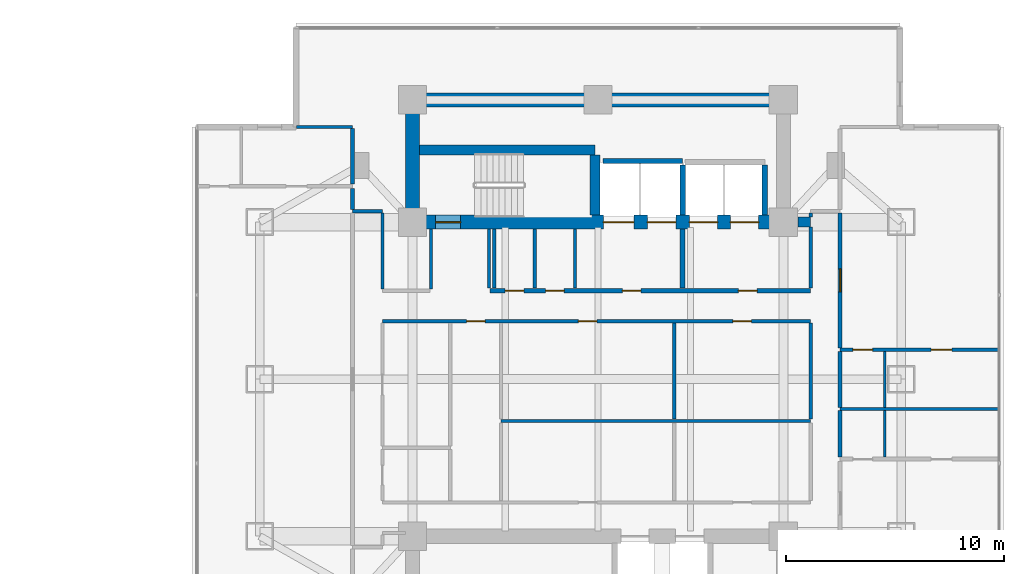
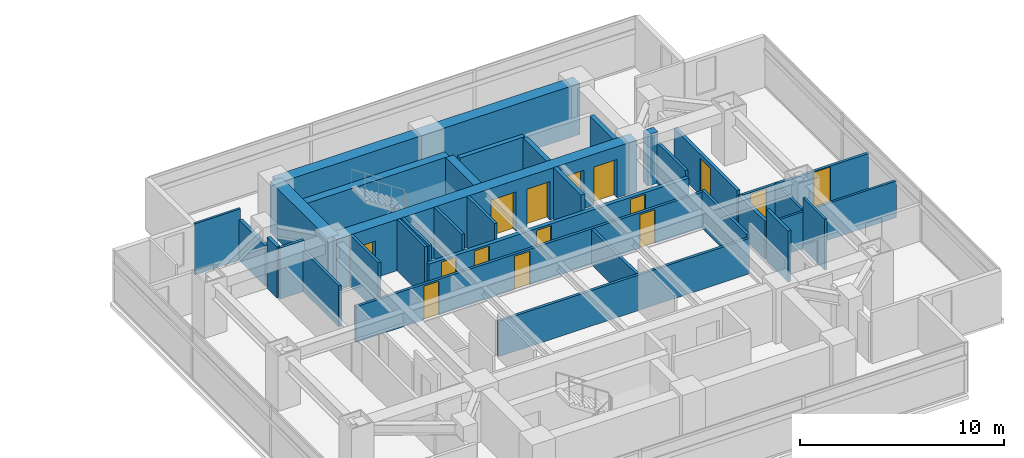
# One storey, part 18 of 24: 34 walls, 15 doors, 15 openings.
"""IFC4 building model written with IfcOpenShell, lengths in metres."""

from ifc_helpers import new_model, si_unit, direction, frame, frame_2d, origin, place, context, subcontext, project, spatial, rectangle, extrude, material, layer, layer_set, type_object, element, fill, save


model = new_model("IFC4")

# Units and contexts
model_context = context("Model", 3, precision=1e-05, world=origin(), true_north=direction((0.0, 1.0)))
body_context = subcontext(model_context, "Body", "Model", "MODEL_VIEW")
ifc_project = project(units=[si_unit("LENGTHUNIT", "METRE"), si_unit("AREAUNIT", "SQUARE_METRE"), si_unit("VOLUMEUNIT", "CUBIC_METRE"), si_unit("PLANEANGLEUNIT", "RADIAN"), si_unit("MASSUNIT", "GRAM", prefix="KILO")], contexts=[model_context])

# Site, building, storey
site_placement = place(None, origin())
site = spatial("IfcSite", under=ifc_project, at=site_placement, CompositionType="ELEMENT")
building_placement = place(site_placement, origin())
building = spatial("IfcBuilding", under=site, at=building_placement, Name="Mirazonda Arch Towers", CompositionType="ELEMENT")
storey_placement = place(building_placement, frame((0.0, 0.0, 65.300048828125)))
storey = spatial("IfcBuildingStorey", under=building, at=storey_placement, Name="L18", CompositionType="ELEMENT", Elevation=65.300048828125)

# Walls
ifc_material_1 = material(Name="Concrete C50/60", Category="concrete")
ifc_layer_1 = layer(ifc_material_1, 0.449951171875, Name="WALL-CORE-450")
ifc_layer_set_1 = layer_set([ifc_layer_1], Name="Concrete C50/60")
wall_type_1 = type_object("IfcWallType", Name="WALL-CORE-450", PredefinedType="SHEAR", material=ifc_layer_set_1)
wall_1_placement = place(storey_placement, frame((85.6650390625, 35.199951171875, 0.0), z_axis=(0.0, 0.0, 1.0), x_axis=(1.0, 0.0, 0.0)))
element("IfcWall", 1, at=wall_1_placement, inside=storey, type_object=wall_type_1, Name="L18 Stair Core Shear Wall 042", PredefinedType="SHEAR", context=body_context, shape_type="SweptSolid", body=[
    extrude(rectangle(XDim=0.5849609375, YDim=0.449951171875, at=frame_2d((0.29248046875, 0.0))), origin(), (0.0, 0.0, 1.0), 3.06005859375),
])
wall_2_placement = place(storey_placement, frame((68.320068359375, 38.5, 0.0), z_axis=(0.0, 0.0, 1.0), x_axis=(1.0, 0.0, 0.0)))
element("IfcWall", 2, at=wall_2_placement, inside=storey, type_object=wall_type_1, Name="L18 Stair Core Shear Wall 049", PredefinedType="SHEAR", context=body_context, shape_type="SweptSolid", body=[
    extrude(rectangle(XDim=8.0400390625, YDim=0.449951171875, at=frame_2d((4.02001953125, 0.0))), origin(), (0.0, 0.0, 1.0), 3.06005859375),
])
wall_3_placement = place(storey_placement, frame((76.360107421875, 35.52001953125, 0.0), z_axis=(0.0, 0.0, 1.0), x_axis=(0.0, 1.0, 0.0)))
element("IfcWall", 3, at=wall_3_placement, inside=storey, type_object=wall_type_1, Name="L18 Stair Core Shear Wall 138", PredefinedType="SHEAR", context=body_context, shape_type="SweptSolid", body=[
    extrude(rectangle(XDim=2.744873046875, YDim=0.449951171875, at=frame_2d((1.37255859375, 0.0))), origin(), (0.0, 0.0, 1.0), 3.06005859375),
])
ifc_material_2 = material(Name="Concrete C60/75", Category="concrete")
ifc_layer_2 = layer(ifc_material_2, 0.64990234375, Name="WALL-CORE-650")
ifc_layer_set_2 = layer_set([ifc_layer_2], Name="Concrete C60/75")
wall_type_2 = type_object("IfcWallType", Name="WALL-CORE-650", PredefinedType="SHEAR", material=ifc_layer_set_2)
wall_4_placement = place(storey_placement, frame((68.0, 40.800048828125, 0.0), z_axis=(0.0, 0.0, 1.0), x_axis=(1.0, 0.0, 0.0)))
element("IfcWall", 4, at=wall_4_placement, inside=storey, type_object=wall_type_2, Name="L18 T2N-N Core Shear Wall", PredefinedType="SHEAR", context=body_context, shape_type="SweptSolid", body=[
    extrude(rectangle(XDim=17.0, YDim=0.64990234375, at=frame_2d((8.5, 0.0))), origin(), (0.0, 0.0, 1.0), 3.06005859375),
])
wall_5_placement = place(storey_placement, frame((68.0, 35.199951171875, 0.0), z_axis=(0.0, 0.0, 1.0), x_axis=(0.0, 1.0, 0.0)))
element("IfcWall", 5, at=wall_5_placement, inside=storey, type_object=wall_type_2, Name="L18 T2N-W Core Shear Wall", PredefinedType="SHEAR", context=body_context, shape_type="SweptSolid", body=[
    extrude(rectangle(XDim=5.60009765625, YDim=0.64990234375, at=frame_2d((2.800048828125, 0.0))), origin(), (0.0, 0.0, 1.0), 3.06005859375),
])

# Wall, openings, doors
wall_6_placement = place(storey_placement, frame((68.0, 35.199951171875, 0.0), z_axis=(0.0, 0.0, 1.0), x_axis=(1.0, 0.0, 0.0)))
wall_6 = element("IfcWall", 6, at=wall_6_placement, inside=storey, type_object=wall_type_2, Name="L18 T2N-S Core Shear Wall", PredefinedType="SHEAR", context=body_context, shape_type="SweptSolid", body=[
    extrude(rectangle(XDim=17.0, YDim=0.64990234375, at=frame_2d((8.5, 0.0))), origin(), (0.0, 0.0, 1.0), 3.06005859375),
])
opening_1_placement = place(wall_6_placement, frame((1.06005859375, 0.0, 0.0)))
opening_1 = element("IfcOpeningElement", 7, at=opening_1_placement, cuts=wall_6, Name="Opening DR-135", PredefinedType="OPENING", context=body_context, shape_type="SweptSolid", body=[
    extrude(rectangle(XDim=1.14990234375, YDim=2.199951171875, at=frame_2d((0.574951171875, 1.10009765625))), frame((0.0, 0.3349609375, 0.0), z_axis=(0.0, -1.0, 0.0), x_axis=(1.0, 0.0, 0.0)), (0.0, 0.0, 1.0), 0.669921875),
])
opening_2_placement = place(wall_6_placement, frame((8.75, 0.0, 0.0)))
opening_2 = element("IfcOpeningElement", 8, at=opening_2_placement, cuts=wall_6, Name="Opening LD-112", PredefinedType="OPENING", context=body_context, shape_type="SweptSolid", body=[
    extrude(rectangle(XDim=1.39990234375, YDim=2.35009765625, at=frame_2d((0.699951171875, 1.175048828125))), frame((0.0, 0.3349609375, 0.0), z_axis=(0.0, -1.0, 0.0), x_axis=(1.0, 0.0, 0.0)), (0.0, 0.0, 1.0), 0.669921875),
])
opening_3_placement = place(wall_6_placement, frame((10.77001953125, 0.0, 0.0)))
opening_3 = element("IfcOpeningElement", 9, at=opening_3_placement, cuts=wall_6, Name="Opening LD-111", PredefinedType="OPENING", context=body_context, shape_type="SweptSolid", body=[
    extrude(rectangle(XDim=1.300048828125, YDim=2.300048828125, at=frame_2d((0.64990234375, 1.14990234375))), frame((0.0, 0.3349609375, 0.0), z_axis=(0.0, -1.0, 0.0), x_axis=(1.0, 0.0, 0.0)), (0.0, 0.0, 1.0), 0.669921875),
])
opening_4_placement = place(wall_6_placement, frame((12.68994140625, 0.0, 0.0)))
opening_4 = element("IfcOpeningElement", 10, at=opening_4_placement, cuts=wall_6, Name="Opening LD-111", PredefinedType="OPENING", context=body_context, shape_type="SweptSolid", body=[
    extrude(rectangle(XDim=1.300048828125, YDim=2.300048828125, at=frame_2d((0.64990234375, 1.14990234375))), frame((0.0, 0.3349609375, 0.0), z_axis=(0.0, -1.0, 0.0), x_axis=(1.0, 0.0, 0.0)), (0.0, 0.0, 1.0), 0.669921875),
])
opening_5_placement = place(wall_6_placement, frame((14.570068359375, 0.0, 0.0)))
opening_5 = element("IfcOpeningElement", 11, at=opening_5_placement, cuts=wall_6, Name="Opening LD-111", PredefinedType="OPENING", context=body_context, shape_type="SweptSolid", body=[
    extrude(rectangle(XDim=1.300048828125, YDim=2.300048828125, at=frame_2d((0.64990234375, 1.14990234375))), frame((0.0, 0.3349609375, 0.0), z_axis=(0.0, -1.0, 0.0), x_axis=(1.0, 0.0, 0.0)), (0.0, 0.0, 1.0), 0.669921875),
])
ifc_material_3 = material(Name="Architectural Brushed Steel S355", Category="steel")
door_type_1 = type_object("IfcDoorType", Name="DOOR-LIFT-FFL-1400", OperationType="NOTDEFINED", PredefinedType="DOOR", material=ifc_material_3)
door_1_placement = place(opening_2_placement, origin())
door_1 = element("IfcDoor", 12, at=door_1_placement, inside=storey, type_object=door_type_1, Name="L18 Lift Landing Sliding Door FFL-T2", OperationType="DOUBLE_DOOR_SLIDING", OverallHeight=2.35009765625, OverallWidth=1.39990234375, PredefinedType="DOOR", context=body_context, shape_type="SweptSolid", body=[
    extrude(rectangle(XDim=1.39990234375, YDim=2.35009765625, at=frame_2d((0.699951171875, 1.175048828125))), frame((0.0, 0.02490234375, 0.0), z_axis=(0.0, -1.0, 0.0), x_axis=(1.0, 0.0, 0.0)), (0.0, 0.0, 1.0), 0.050048828125),
])
fill(opening_2, door_1)
door_type_2 = type_object("IfcDoorType", Name="DOOR-LIFT-LAND-1300", OperationType="NOTDEFINED", PredefinedType="DOOR", material=ifc_material_3)
door_2_placement = place(opening_3_placement, origin())
door_2 = element("IfcDoor", 13, at=door_2_placement, inside=storey, type_object=door_type_2, Name="L18 Lift Landing Sliding Door SVL-T2", OperationType="DOUBLE_DOOR_SLIDING", OverallHeight=2.300048828125, OverallWidth=1.300048828125, PredefinedType="DOOR", context=body_context, shape_type="SweptSolid", body=[
    extrude(rectangle(XDim=1.300048828125, YDim=2.300048828125, at=frame_2d((0.64990234375, 1.14990234375))), frame((0.0, 0.02490234375, 0.0), z_axis=(0.0, -1.0, 0.0), x_axis=(1.0, 0.0, 0.0)), (0.0, 0.0, 1.0), 0.050048828125),
])
fill(opening_3, door_2)
door_3_placement = place(opening_4_placement, origin())
door_3 = element("IfcDoor", 14, at=door_3_placement, inside=storey, type_object=door_type_2, Name="L18 Lift Landing Sliding Door PL-T2L1", OperationType="DOUBLE_DOOR_SLIDING", OverallHeight=2.300048828125, OverallWidth=1.300048828125, PredefinedType="DOOR", context=body_context, shape_type="SweptSolid", body=[
    extrude(rectangle(XDim=1.300048828125, YDim=2.300048828125, at=frame_2d((0.64990234375, 1.14990234375))), frame((0.0, 0.02490234375, 0.0), z_axis=(0.0, -1.0, 0.0), x_axis=(1.0, 0.0, 0.0)), (0.0, 0.0, 1.0), 0.050048828125),
])
fill(opening_4, door_3)
door_4_placement = place(opening_5_placement, origin())
door_4 = element("IfcDoor", 15, at=door_4_placement, inside=storey, type_object=door_type_2, Name="L18 Lift Landing Sliding Door PL-T2L2", OperationType="DOUBLE_DOOR_SLIDING", OverallHeight=2.300048828125, OverallWidth=1.300048828125, PredefinedType="DOOR", context=body_context, shape_type="SweptSolid", body=[
    extrude(rectangle(XDim=1.300048828125, YDim=2.300048828125, at=frame_2d((0.64990234375, 1.14990234375))), frame((0.0, 0.02490234375, 0.0), z_axis=(0.0, -1.0, 0.0), x_axis=(1.0, 0.0, 0.0)), (0.0, 0.0, 1.0), 0.050048828125),
])
fill(opening_5, door_4)
door_type_3 = type_object("IfcDoorType", Name="DOOR-STAIR-FD90-1150", OperationType="NOTDEFINED", PredefinedType="DOOR", material=ifc_material_3)
door_5_placement = place(opening_1_placement, origin())
door_5 = element("IfcDoor", 16, at=door_5_placement, inside=storey, type_object=door_type_3, Name="L18 East Protected Stair North Door", OperationType="SINGLE_SWING_LEFT", OverallHeight=2.199951171875, OverallWidth=1.14990234375, PredefinedType="DOOR", context=body_context, shape_type="SweptSolid", body=[
    extrude(rectangle(XDim=1.14990234375, YDim=2.199951171875, at=frame_2d((0.574951171875, 1.10009765625))), frame((0.0, 0.02490234375, 0.0), z_axis=(0.0, -1.0, 0.0), x_axis=(1.0, 0.0, 0.0)), (0.0, 0.0, 1.0), 0.050048828125),
])
fill(opening_1, door_5)

ifc_material_4 = material(Name="Concrete C40/50", Category="concrete")
ifc_layer_3 = layer(ifc_material_4, 0.219970703125, Name="WALL-FFL-220")
ifc_layer_set_3 = layer_set([ifc_layer_3], Name="Concrete C40/50")
wall_type_3 = type_object("IfcWallType", Name="WALL-FFL-220", PredefinedType="SOLIDWALL", material=ifc_layer_set_3)
wall_7_placement = place(storey_placement, frame((71.550048828125, 32.050048828125, 0.0), z_axis=(0.0, 0.0, 1.0), x_axis=(1.0, 0.0, 0.0)))
wall_7 = element("IfcWall", 17, at=wall_7_placement, inside=storey, type_object=wall_type_3, Name="L18 Interior Partition 036", PredefinedType="SOLIDWALL", context=body_context, shape_type="SweptSolid", body=[
    extrude(rectangle(XDim=14.699951171875, YDim=0.219970703125, at=frame_2d((7.35009765625, 0.0))), origin(), (0.0, 0.0, 1.0), 2.125),
])
opening_6_placement = place(wall_7_placement, frame((11.389892578125, 0.0, 0.0)))
opening_6 = element("IfcOpeningElement", 18, at=opening_6_placement, cuts=wall_7, Name="Opening DR-128", PredefinedType="OPENING", context=body_context, shape_type="SweptSolid", body=[
    extrude(rectangle(XDim=0.85009765625, YDim=2.010009765625, at=frame_2d((0.425048828125, 1.0048828125))), frame((0.0, 0.119873046875, 0.0), z_axis=(0.0, -1.0, 0.0), x_axis=(1.0, 0.0, 0.0)), (0.0, 0.0, 1.0), 0.239990234375),
])
opening_7_placement = place(wall_7_placement, frame((6.06494140625, 0.0, 0.0)))
opening_7 = element("IfcOpeningElement", 19, at=opening_7_placement, cuts=wall_7, Name="Opening DR-128", PredefinedType="OPENING", context=body_context, shape_type="SweptSolid", body=[
    extrude(rectangle(XDim=0.85009765625, YDim=2.010009765625, at=frame_2d((0.425048828125, 1.0048828125))), frame((0.0, 0.119873046875, 0.0), z_axis=(0.0, -1.0, 0.0), x_axis=(1.0, 0.0, 0.0)), (0.0, 0.0, 1.0), 0.239990234375),
])
opening_8_placement = place(wall_7_placement, frame((0.699951171875, 0.0, 0.0)))
opening_8 = element("IfcOpeningElement", 20, at=opening_8_placement, cuts=wall_7, Name="Opening DR-128", PredefinedType="OPENING", context=body_context, shape_type="SweptSolid", body=[
    extrude(rectangle(XDim=0.85009765625, YDim=2.010009765625, at=frame_2d((0.425048828125, 1.0048828125))), frame((0.0, 0.119873046875, 0.0), z_axis=(0.0, -1.0, 0.0), x_axis=(1.0, 0.0, 0.0)), (0.0, 0.0, 1.0), 0.239990234375),
])
opening_9_placement = place(wall_7_placement, frame((2.550048828125, 0.0, 0.0)))
opening_9 = element("IfcOpeningElement", 21, at=opening_9_placement, cuts=wall_7, Name="Opening DR-128", PredefinedType="OPENING", context=body_context, shape_type="SweptSolid", body=[
    extrude(rectangle(XDim=0.85009765625, YDim=2.010009765625, at=frame_2d((0.425048828125, 1.0048828125))), frame((0.0, 0.119873046875, 0.0), z_axis=(0.0, -1.0, 0.0), x_axis=(1.0, 0.0, 0.0)), (0.0, 0.0, 1.0), 0.239990234375),
])
door_type_4 = type_object("IfcDoorType", Name="DOOR-RISER-FD60-850", OperationType="NOTDEFINED", PredefinedType="DOOR", material=ifc_material_3)
door_6_placement = place(opening_6_placement, origin())
door_6 = element("IfcDoor", 22, at=door_6_placement, inside=storey, type_object=door_type_4, Name="L18 East Passenger Lift Lobby Door", OperationType="SINGLE_SWING_RIGHT", OverallHeight=2.010009765625, OverallWidth=0.85009765625, PredefinedType="DOOR", context=body_context, shape_type="SweptSolid", body=[
    extrude(rectangle(XDim=0.85009765625, YDim=2.010009765625, at=frame_2d((0.425048828125, 1.0048828125))), frame((0.0, 0.02490234375, 0.0), z_axis=(0.0, -1.0, 0.0), x_axis=(1.0, 0.0, 0.0)), (0.0, 0.0, 1.0), 0.050048828125),
])
fill(opening_6, door_6)
door_7_placement = place(opening_7_placement, origin())
door_7 = element("IfcDoor", 23, at=door_7_placement, inside=storey, type_object=door_type_4, Name="L18 East Firefighting Lift Lobby Door", OperationType="SINGLE_SWING_RIGHT", OverallHeight=2.010009765625, OverallWidth=0.85009765625, PredefinedType="DOOR", context=body_context, shape_type="SweptSolid", body=[
    extrude(rectangle(XDim=0.85009765625, YDim=2.010009765625, at=frame_2d((0.425048828125, 1.0048828125))), frame((0.0, 0.02490234375, 0.0), z_axis=(0.0, -1.0, 0.0), x_axis=(1.0, 0.0, 0.0)), (0.0, 0.0, 1.0), 0.050048828125),
])
fill(opening_7, door_7)
door_8_placement = place(opening_8_placement, origin())
door_8 = element("IfcDoor", 24, at=door_8_placement, inside=storey, type_object=door_type_4, Name="L18 Tower 2 Electrical Room Door", OperationType="SINGLE_SWING_LEFT", OverallHeight=2.010009765625, OverallWidth=0.85009765625, PredefinedType="DOOR", context=body_context, shape_type="SweptSolid", body=[
    extrude(rectangle(XDim=0.85009765625, YDim=2.010009765625, at=frame_2d((0.425048828125, 1.0048828125))), frame((0.0, 0.02490234375, 0.0), z_axis=(0.0, -1.0, 0.0), x_axis=(1.0, 0.0, 0.0)), (0.0, 0.0, 1.0), 0.050048828125),
])
fill(opening_8, door_8)
door_9_placement = place(opening_9_placement, origin())
door_9 = element("IfcDoor", 25, at=door_9_placement, inside=storey, type_object=door_type_4, Name="L18 Tower 2 Cleaners Store Door", OperationType="SINGLE_SWING_RIGHT", OverallHeight=2.010009765625, OverallWidth=0.85009765625, PredefinedType="DOOR", context=body_context, shape_type="SweptSolid", body=[
    extrude(rectangle(XDim=0.85009765625, YDim=2.010009765625, at=frame_2d((0.425048828125, 1.0048828125))), frame((0.0, 0.02490234375, 0.0), z_axis=(0.0, -1.0, 0.0), x_axis=(1.0, 0.0, 0.0)), (0.0, 0.0, 1.0), 0.050048828125),
])
fill(opening_9, door_9)

# Walls
wall_8_placement = place(storey_placement, frame((80.3798828125, 32.169921875, 0.0), z_axis=(0.0, 0.0, 1.0), x_axis=(0.0, 1.0, 0.0)))
element("IfcWall", 26, at=wall_8_placement, inside=storey, type_object=wall_type_3, Name="L18 Interior Partition 142", PredefinedType="SOLIDWALL", context=body_context, shape_type="SweptSolid", body=[
    extrude(rectangle(XDim=2.7099609375, YDim=0.219970703125, at=frame_2d((1.35498046875, 0.0))), origin(), (0.0, 0.0, 1.0), 3.06005859375),
])
ifc_material_5 = material(Name="Fire-Rated Gypsum Stud Partition")
ifc_layer_4 = layer(ifc_material_5, 0.14990234375, Name="WALL-PART-CORR-150")
ifc_layer_set_4 = layer_set([ifc_layer_4], Name="Fire-Rated Gypsum Stud Partition")
wall_type_4 = type_object("IfcWallType", Name="WALL-PART-CORR-150", PredefinedType="PARTITIONING", material=ifc_layer_set_4)
wall_9_placement = place(storey_placement, frame((72.050048828125, 26.0849609375, 0.0), z_axis=(0.0, 0.0, 1.0), x_axis=(1.0, 0.0, 0.0)))
element("IfcWall", 27, at=wall_9_placement, inside=storey, type_object=wall_type_4, Name="L18 Interior Partition 028", PredefinedType="PARTITIONING", context=body_context, shape_type="SweptSolid", body=[
    extrude(rectangle(XDim=14.199951171875, YDim=0.14990234375, at=frame_2d((7.10009765625, 0.0))), origin(), (0.0, 0.0, 1.0), 2.125),
])

# Wall, openings, doors
wall_10_placement = place(storey_placement, frame((87.60009765625, 29.35205078125, 0.0), z_axis=(0.0, 0.0, 1.0), x_axis=(1.0, 0.0, 0.0)))
wall_10 = element("IfcWall", 28, at=wall_10_placement, inside=storey, type_object=wall_type_4, Name="L18 Interior Partition 032", PredefinedType="PARTITIONING", context=body_context, shape_type="SweptSolid", body=[
    extrude(rectangle(XDim=7.2919921875, YDim=0.14990234375, at=frame_2d((3.64599609375, 0.0))), origin(), (0.0, 0.0, 1.0), 2.196044921875),
])
opening_10_placement = place(wall_10_placement, frame((4.1708984375, 0.0, 0.0)))
opening_10 = element("IfcOpeningElement", 29, at=opening_10_placement, cuts=wall_10, Name="Opening DR-104", PredefinedType="OPENING", context=body_context, shape_type="SweptSolid", body=[
    extrude(rectangle(XDim=0.949951171875, YDim=2.14990234375, at=frame_2d((0.47509765625, 1.074951171875))), frame((0.0, 0.0849609375, 0.0), z_axis=(0.0, -1.0, 0.0), x_axis=(1.0, 0.0, 0.0)), (0.0, 0.0, 1.0), 0.169921875),
])
opening_11_placement = place(wall_10_placement, frame((0.590087890625, 0.0, 0.0)))
opening_11 = element("IfcOpeningElement", 30, at=opening_11_placement, cuts=wall_10, Name="Opening DR-120", PredefinedType="OPENING", context=body_context, shape_type="SweptSolid", body=[
    extrude(rectangle(XDim=0.89990234375, YDim=2.10009765625, at=frame_2d((0.449951171875, 1.050048828125))), frame((0.0, 0.0849609375, 0.0), z_axis=(0.0, -1.0, 0.0), x_axis=(1.0, 0.0, 0.0)), (0.0, 0.0, 1.0), 0.169921875),
])
door_type_5 = type_object("IfcDoorType", Name="DOOR-ROOM-950", OperationType="NOTDEFINED", PredefinedType="DOOR", material=ifc_material_3)
door_10_placement = place(opening_10_placement, origin())
door_10 = element("IfcDoor", 31, at=door_10_placement, inside=storey, type_object=door_type_5, Name="L18 Suite Bedroom 2 Door", OperationType="SINGLE_SWING_RIGHT", OverallHeight=2.14990234375, OverallWidth=0.949951171875, PredefinedType="DOOR", context=body_context, shape_type="SweptSolid", body=[
    extrude(rectangle(XDim=0.949951171875, YDim=2.14990234375, at=frame_2d((0.47509765625, 1.074951171875))), frame((0.0, 0.02490234375, 0.0), z_axis=(0.0, -1.0, 0.0), x_axis=(1.0, 0.0, 0.0)), (0.0, 0.0, 1.0), 0.050048828125),
])
fill(opening_10, door_10)
door_type_6 = type_object("IfcDoorType", Name="DOOR-WC-900", OperationType="NOTDEFINED", PredefinedType="DOOR", material=ifc_material_3)
door_11_placement = place(opening_11_placement, origin())
door_11 = element("IfcDoor", 32, at=door_11_placement, inside=storey, type_object=door_type_6, Name="L18 Suite En-Suite Bathroom 2 Door", OperationType="SINGLE_SWING_LEFT", OverallHeight=2.10009765625, OverallWidth=0.89990234375, PredefinedType="DOOR", context=body_context, shape_type="SweptSolid", body=[
    extrude(rectangle(XDim=0.89990234375, YDim=2.10009765625, at=frame_2d((0.449951171875, 1.050048828125))), frame((0.0, 0.02490234375, 0.0), z_axis=(0.0, -1.0, 0.0), x_axis=(1.0, 0.0, 0.0)), (0.0, 0.0, 1.0), 0.050048828125),
])
fill(opening_11, door_11)

wall_11_placement = place(storey_placement, frame((66.6201171875, 30.64990234375, 0.0), z_axis=(0.0, 0.0, 1.0), x_axis=(1.0, 0.0, 0.0)))
wall_11 = element("IfcWall", 33, at=wall_11_placement, inside=storey, type_object=wall_type_4, Name="L18 Interior Partition 034", PredefinedType="PARTITIONING", context=body_context, shape_type="SweptSolid", body=[
    extrude(rectangle(XDim=19.6298828125, YDim=0.14990234375, at=frame_2d((9.81494140625, 0.0))), origin(), (0.0, 0.0, 1.0), 2.125),
])
opening_12_placement = place(wall_11_placement, frame((3.85498046875, 0.0, 0.0)))
opening_12 = element("IfcOpeningElement", 34, at=opening_12_placement, cuts=wall_11, Name="Opening DR-128", PredefinedType="OPENING", context=body_context, shape_type="SweptSolid", body=[
    extrude(rectangle(XDim=0.85009765625, YDim=2.010009765625, at=frame_2d((0.425048828125, 1.0048828125))), frame((0.0, 0.0849609375, 0.0), z_axis=(0.0, -1.0, 0.0), x_axis=(1.0, 0.0, 0.0)), (0.0, 0.0, 1.0), 0.169921875),
])
opening_13_placement = place(wall_11_placement, frame((8.98095703125, 0.0, 0.0)))
opening_13 = element("IfcOpeningElement", 35, at=opening_13_placement, cuts=wall_11, Name="Opening DR-128", PredefinedType="OPENING", context=body_context, shape_type="SweptSolid", body=[
    extrude(rectangle(XDim=0.85009765625, YDim=2.010009765625, at=frame_2d((0.425048828125, 1.0048828125))), frame((0.0, 0.0849609375, 0.0), z_axis=(0.0, -1.0, 0.0), x_axis=(1.0, 0.0, 0.0)), (0.0, 0.0, 1.0), 0.169921875),
])
opening_14_placement = place(wall_11_placement, frame((16.06103515625, 0.0, 0.0)))
opening_14 = element("IfcOpeningElement", 36, at=opening_14_placement, cuts=wall_11, Name="Opening DR-128", PredefinedType="OPENING", context=body_context, shape_type="SweptSolid", body=[
    extrude(rectangle(XDim=0.85009765625, YDim=2.010009765625, at=frame_2d((0.425048828125, 1.0048828125))), frame((0.0, 0.0849609375, 0.0), z_axis=(0.0, -1.0, 0.0), x_axis=(1.0, 0.0, 0.0)), (0.0, 0.0, 1.0), 0.169921875),
])
door_12_placement = place(opening_12_placement, origin())
door_12 = element("IfcDoor", 37, at=door_12_placement, inside=storey, type_object=door_type_4, Name="L18 L18 East Courtyard Study Door", OperationType="SINGLE_SWING_LEFT", OverallHeight=2.010009765625, OverallWidth=0.85009765625, PredefinedType="DOOR", context=body_context, shape_type="SweptSolid", body=[
    extrude(rectangle(XDim=0.85009765625, YDim=2.010009765625, at=frame_2d((0.425048828125, 1.0048828125))), frame((0.0, 0.02490234375, 0.0), z_axis=(0.0, -1.0, 0.0), x_axis=(1.0, 0.0, 0.0)), (0.0, 0.0, 1.0), 0.050048828125),
])
fill(opening_12, door_12)
door_13_placement = place(opening_13_placement, origin())
door_13 = element("IfcDoor", 38, at=door_13_placement, inside=storey, type_object=door_type_4, Name="L18 Concierge Salon Door", OperationType="SINGLE_SWING_RIGHT", OverallHeight=2.010009765625, OverallWidth=0.85009765625, PredefinedType="DOOR", context=body_context, shape_type="SweptSolid", body=[
    extrude(rectangle(XDim=0.85009765625, YDim=2.010009765625, at=frame_2d((0.425048828125, 1.0048828125))), frame((0.0, 0.02490234375, 0.0), z_axis=(0.0, -1.0, 0.0), x_axis=(1.0, 0.0, 0.0)), (0.0, 0.0, 1.0), 0.050048828125),
])
fill(opening_13, door_13)
door_14_placement = place(opening_14_placement, origin())
door_14 = element("IfcDoor", 39, at=door_14_placement, inside=storey, type_object=door_type_4, Name="L18 Private Meeting Suite Door", OperationType="SINGLE_SWING_LEFT", OverallHeight=2.010009765625, OverallWidth=0.85009765625, PredefinedType="DOOR", context=body_context, shape_type="SweptSolid", body=[
    extrude(rectangle(XDim=0.85009765625, YDim=2.010009765625, at=frame_2d((0.425048828125, 1.0048828125))), frame((0.0, 0.02490234375, 0.0), z_axis=(0.0, -1.0, 0.0), x_axis=(1.0, 0.0, 0.0)), (0.0, 0.0, 1.0), 0.050048828125),
])
fill(opening_14, door_14)

# Walls
wall_12_placement = place(storey_placement, frame((65.25, 35.699951171875, 0.0), z_axis=(0.0, 0.0, 1.0), x_axis=(1.0, 0.0, 0.0)))
element("IfcWall", 40, at=wall_12_placement, inside=storey, type_object=wall_type_4, Name="L18 Interior Partition 043", PredefinedType="PARTITIONING", context=body_context, shape_type="SweptSolid", body=[
    extrude(rectangle(XDim=1.3701171875, YDim=0.14990234375, at=frame_2d((0.68505859375, 0.0))), origin(), (0.0, 0.0, 1.0), 3.06005859375),
])
wall_13_placement = place(storey_placement, frame((66.6201171875, 32.135009765625, 0.0), z_axis=(0.0, 0.0, 1.0), x_axis=(0.0, 1.0, 0.0)))
element("IfcWall", 41, at=wall_13_placement, inside=storey, type_object=wall_type_4, Name="L18 Interior Partition 127", PredefinedType="PARTITIONING", context=body_context, shape_type="SweptSolid", body=[
    extrude(rectangle(XDim=3.47998046875, YDim=0.14990234375, at=frame_2d((1.739990234375, 0.0))), origin(), (0.0, 0.0, 1.0), 2.451904296875),
])
wall_14_placement = place(storey_placement, frame((68.85009765625, 32.135009765625, 0.0), z_axis=(0.0, 0.0, 1.0), x_axis=(0.0, 1.0, 0.0)))
element("IfcWall", 42, at=wall_14_placement, inside=storey, type_object=wall_type_4, Name="L18 Interior Partition 128", PredefinedType="PARTITIONING", context=body_context, shape_type="SweptSolid", body=[
    extrude(rectangle(XDim=2.744873046875, YDim=0.14990234375, at=frame_2d((1.37255859375, 0.0))), origin(), (0.0, 0.0, 1.0), 3.06005859375),
])
for number, where, z_axis, x_axis, name in (
    (43, (71.5, 32.169921875, 0.0), (0.0, 0.0, 1.0), (0.0, 1.0, 0.0), "L18 Interior Partition 131"),
    (44, (71.75, 32.169921875, 0.0), (0.0, 0.0, 1.0), (0.0, 1.0, 0.0), "L18 Interior Partition 132"),
    (45, (73.60009765625, 32.169921875, 0.0), (0.0, 0.0, 1.0), (0.0, 1.0, 0.0), "L18 Interior Partition 135"),
    (46, (75.449951171875, 32.169921875, 0.0), (0.0, 0.0, 1.0), (0.0, 1.0, 0.0), "L18 Interior Partition 136"),
):
    element("IfcWall", number, at=place(storey_placement, frame(where, z_axis=z_axis, x_axis=x_axis)), inside=storey, type_object=wall_type_4, Name=name, PredefinedType="PARTITIONING", context=body_context, shape_type="SweptSolid", body=[
        extrude(rectangle(XDim=2.7099609375, YDim=0.14990234375, at=frame_2d((1.35498046875, 0.0))), origin(), (0.0, 0.0, 1.0), 3.06005859375),
    ])
wall_15_placement = place(storey_placement, frame((80.001953125, 26.169921875, 0.0), z_axis=(0.0, 0.0, 1.0), x_axis=(0.0, 1.0, 0.0)))
element("IfcWall", 47, at=wall_15_placement, inside=storey, type_object=wall_type_4, Name="L18 Interior Partition 141", PredefinedType="PARTITIONING", context=body_context, shape_type="SweptSolid", body=[
    extrude(rectangle(XDim=4.39501953125, YDim=0.14990234375, at=frame_2d((2.197509765625, 0.0))), origin(), (0.0, 0.0, 1.0), 2.125),
])
wall_16_placement = place(storey_placement, frame((86.25, 26.169921875, 0.0), z_axis=(0.0, 0.0, 1.0), x_axis=(0.0, 1.0, 0.0)))
element("IfcWall", 48, at=wall_16_placement, inside=storey, type_object=wall_type_4, Name="L18 Interior Partition 148", PredefinedType="PARTITIONING", context=body_context, shape_type="SweptSolid", body=[
    extrude(rectangle(XDim=4.39501953125, YDim=0.14990234375, at=frame_2d((2.197509765625, 0.0))), origin(), (0.0, 0.0, 1.0), 2.279052734375),
])
wall_17_placement = place(storey_placement, frame((86.25, 32.169921875, 0.0), z_axis=(0.0, 0.0, 1.0), x_axis=(0.0, 1.0, 0.0)))
element("IfcWall", 49, at=wall_17_placement, inside=storey, type_object=wall_type_4, Name="L18 Interior Partition 149", PredefinedType="PARTITIONING", context=body_context, shape_type="SweptSolid", body=[
    extrude(rectangle(XDim=2.795166015625, YDim=0.14990234375, at=frame_2d((1.3974609375, 0.0))), origin(), (0.0, 0.0, 1.0), 2.451904296875),
])
wall_18_placement = place(storey_placement, frame((86.25, 35.43505859375, 0.0), z_axis=(0.0, 0.0, 1.0), x_axis=(0.0, 1.0, 0.0)))
element("IfcWall", 50, at=wall_18_placement, inside=storey, type_object=wall_type_4, Name="L18 Interior Partition 150", PredefinedType="PARTITIONING", context=body_context, shape_type="SweptSolid", body=[
    extrude(rectangle(XDim=0.179931640625, YDim=0.14990234375, at=frame_2d((0.08984375, 0.0))), origin(), (0.0, 0.0, 1.0), 2.451904296875),
])
ifc_material_6 = material(Name="Fire-Rated Gypsum Twin-Stud Assembly")
ifc_layer_5 = layer(ifc_material_6, 0.179931640625, Name="WALL-PART-DEMISE-180")
ifc_layer_set_5 = layer_set([ifc_layer_5], Name="Fire-Rated Gypsum Twin-Stud Assembly")
wall_type_5 = type_object("IfcWallType", Name="WALL-PART-DEMISE-180", PredefinedType="PARTITIONING", material=ifc_layer_set_5)
wall_19_placement = place(storey_placement, frame((65.25, 35.784912109375, 0.0), z_axis=(0.0, 0.0, 1.0), x_axis=(0.0, 1.0, 0.0)))
element("IfcWall", 51, at=wall_19_placement, inside=storey, type_object=wall_type_5, Name="L18 Interior Partition 122", PredefinedType="PARTITIONING", context=body_context, shape_type="SweptSolid", body=[
    extrude(rectangle(XDim=0.9580078125, YDim=0.179931640625, at=frame_2d((0.47900390625, 0.0))), origin(), (0.0, 0.0, 1.0), 3.06005859375),
])
wall_20_placement = place(storey_placement, frame((65.25, 36.943115234375, 0.0), z_axis=(0.0, 0.0, 1.0), x_axis=(0.0, 1.0, 0.0)))
element("IfcWall", 52, at=wall_20_placement, inside=storey, type_object=wall_type_5, Name="L18 Interior Partition 123", PredefinedType="PARTITIONING", context=body_context, shape_type="SweptSolid", body=[
    extrude(rectangle(XDim=2.54736328125, YDim=0.179931640625, at=frame_2d((1.273681640625, 0.0))), origin(), (0.0, 0.0, 1.0), 2.43603515625),
])
wall_21_placement = place(storey_placement, frame((87.60009765625, 24.431884765625, 0.0), z_axis=(0.0, 0.0, 1.0), x_axis=(0.0, 1.0, 0.0)))
element("IfcWall", 53, at=wall_21_placement, inside=storey, type_object=wall_type_5, Name="L18 Interior Partition 153", PredefinedType="PARTITIONING", context=body_context, shape_type="SweptSolid", body=[
    extrude(rectangle(XDim=2.127685546875, YDim=0.179931640625, at=frame_2d((1.06396484375, 0.0))), origin(), (0.0, 0.0, 1.0), 3.06005859375),
])
wall_22_placement = place(storey_placement, frame((87.60009765625, 26.70458984375, 0.0), z_axis=(0.0, 0.0, 1.0), x_axis=(0.0, 1.0, 0.0)))
element("IfcWall", 54, at=wall_22_placement, inside=storey, type_object=wall_type_5, Name="L18 Interior Partition 154", PredefinedType="PARTITIONING", context=body_context, shape_type="SweptSolid", body=[
    extrude(rectangle(XDim=2.5625, YDim=0.179931640625, at=frame_2d((1.28125, 0.0))), origin(), (0.0, 0.0, 1.0), 2.279052734375),
])

# Wall, opening, door
wall_23_placement = place(storey_placement, frame((87.60009765625, 29.43701171875, 0.0), z_axis=(0.0, 0.0, 1.0), x_axis=(0.0, 1.0, 0.0)))
wall_23 = element("IfcWall", 55, at=wall_23_placement, inside=storey, type_object=wall_type_5, Name="L18 Interior Partition 155", PredefinedType="PARTITIONING", context=body_context, shape_type="SweptSolid", body=[
    extrude(rectangle(XDim=6.177978515625, YDim=0.179931640625, at=frame_2d((3.0888671875, 0.0))), origin(), (0.0, 0.0, 1.0), 2.451904296875),
])
opening_15_placement = place(wall_23_placement, frame((2.56396484375, 0.0, 0.0)))
opening_15 = element("IfcOpeningElement", 56, at=opening_15_placement, cuts=wall_23, Name="Opening DR-121", PredefinedType="OPENING", context=body_context, shape_type="SweptSolid", body=[
    extrude(rectangle(XDim=1.050048828125, YDim=2.199951171875, at=frame_2d((0.52490234375, 1.10009765625))), frame((0.0, 0.099853515625, 0.0), z_axis=(0.0, -1.0, 0.0), x_axis=(1.0, 0.0, 0.0)), (0.0, 0.0, 1.0), 0.199951171875),
])
door_type_7 = type_object("IfcDoorType", Name="DOOR-SUITE-FD60-1050", OperationType="NOTDEFINED", PredefinedType="DOOR", material=ifc_material_3)
door_15_placement = place(opening_15_placement, origin())
door_15 = element("IfcDoor", 57, at=door_15_placement, inside=storey, type_object=door_type_7, Name="L18 Presidential Hotel Suite 2 Door", OperationType="SINGLE_SWING_LEFT", OverallHeight=2.199951171875, OverallWidth=1.050048828125, PredefinedType="DOOR", context=body_context, shape_type="SweptSolid", body=[
    extrude(rectangle(XDim=1.050048828125, YDim=2.199951171875, at=frame_2d((0.52490234375, 1.10009765625))), frame((0.0, 0.02490234375, 0.0), z_axis=(0.0, -1.0, 0.0), x_axis=(1.0, 0.0, 0.0)), (0.0, 0.0, 1.0), 0.050048828125),
])
fill(opening_15, door_15)

# Walls
ifc_material_7 = material(Name="Acoustic Fire-Rated Gypsum Partition")
ifc_layer_6 = layer(ifc_material_7, 0.125, Name="WALL-PART-UNIT-125")
ifc_layer_set_6 = layer_set([ifc_layer_6], Name="Acoustic Fire-Rated Gypsum Partition")
wall_type_6 = type_object("IfcWallType", Name="WALL-PART-UNIT-125", PredefinedType="PARTITIONING", material=ifc_layer_set_6)
wall_24_placement = place(storey_placement, frame((87.60009765625, 26.632080078125, 0.0), z_axis=(0.0, 0.0, 1.0), x_axis=(1.0, 0.0, 0.0)))
element("IfcWall", 58, at=wall_24_placement, inside=storey, type_object=wall_type_6, Name="L18 Interior Partition 029", PredefinedType="PARTITIONING", context=body_context, shape_type="SweptSolid", body=[
    extrude(rectangle(XDim=7.2919921875, YDim=0.125, at=frame_2d((3.64599609375, 0.0))), origin(), (0.0, 0.0, 1.0), 2.196044921875),
])
wall_25_placement = place(storey_placement, frame((62.674072265625, 39.56298828125, 0.0), z_axis=(0.0, 0.0, 1.0), x_axis=(1.0, 0.0, 0.0)))
element("IfcWall", 59, at=wall_25_placement, inside=storey, type_object=wall_type_6, Name="L18 Interior Partition 050", PredefinedType="PARTITIONING", context=body_context, shape_type="SweptSolid", body=[
    extrude(rectangle(XDim=2.575927734375, YDim=0.125, at=frame_2d((1.2880859375, 0.0))), origin(), (0.0, 0.0, 1.0), 3.06005859375),
])
wall_26_placement = place(storey_placement, frame((89.639892578125, 24.431884765625, 0.0), z_axis=(0.0, 0.0, 1.0), x_axis=(0.0, 1.0, 0.0)))
element("IfcWall", 60, at=wall_26_placement, inside=storey, type_object=wall_type_6, Name="L18 Interior Partition 157", PredefinedType="PARTITIONING", context=body_context, shape_type="SweptSolid", body=[
    extrude(rectangle(XDim=2.127685546875, YDim=0.125, at=frame_2d((1.06396484375, 0.0))), origin(), (0.0, 0.0, 1.0), 3.06005859375),
])
wall_27_placement = place(storey_placement, frame((89.639892578125, 26.70458984375, 0.0), z_axis=(0.0, 0.0, 1.0), x_axis=(0.0, 1.0, 0.0)))
element("IfcWall", 61, at=wall_27_placement, inside=storey, type_object=wall_type_6, Name="L18 Interior Partition 158", PredefinedType="PARTITIONING", context=body_context, shape_type="SweptSolid", body=[
    extrude(rectangle(XDim=2.5625, YDim=0.125, at=frame_2d((1.28125, 0.0))), origin(), (0.0, 0.0, 1.0), 2.279052734375),
])
ifc_layer_7 = layer(ifc_material_4, 0.25, Name="WALL-SHAFT-250")
ifc_layer_set_7 = layer_set([ifc_layer_7], Name="Concrete C40/50")
wall_type_7 = type_object("IfcWallType", Name="WALL-SHAFT-250", PredefinedType="SOLIDWALL", material=ifc_layer_set_7)
wall_28_placement = place(storey_placement, frame((76.719970703125, 38.0, 0.0), z_axis=(0.0, 0.0, 1.0), x_axis=(1.0, 0.0, 0.0)))
element("IfcWall", 62, at=wall_28_placement, inside=storey, type_object=wall_type_7, Name="L18 Interior Partition 048", PredefinedType="SOLIDWALL", context=body_context, shape_type="SweptSolid", body=[
    extrude(rectangle(XDim=3.659912109375, YDim=0.25, at=frame_2d((1.830078125, 0.0))), origin(), (0.0, 0.0, 1.0), 3.06005859375),
])
for number, where, z_axis, x_axis, name in (
    (63, (80.3798828125, 35.52001953125, 0.0), (0.0, 0.0, 1.0), (0.0, 1.0, 0.0), "L18 Interior Partition 143"),
    (64, (84.14990234375, 35.52001953125, 0.0), (0.0, 0.0, 1.0), (0.0, 1.0, 0.0), "L18 Interior Partition 145"),
):
    element("IfcWall", number, at=place(storey_placement, frame(where, z_axis=z_axis, x_axis=x_axis)), inside=storey, type_object=wall_type_7, Name=name, PredefinedType="SOLIDWALL", context=body_context, shape_type="SweptSolid", body=[
        extrude(rectangle(XDim=2.294921875, YDim=0.25, at=frame_2d((1.1474609375, 0.0))), origin(), (0.0, 0.0, 1.0), 3.06005859375),
    ])

save(model, "model.ifc")
